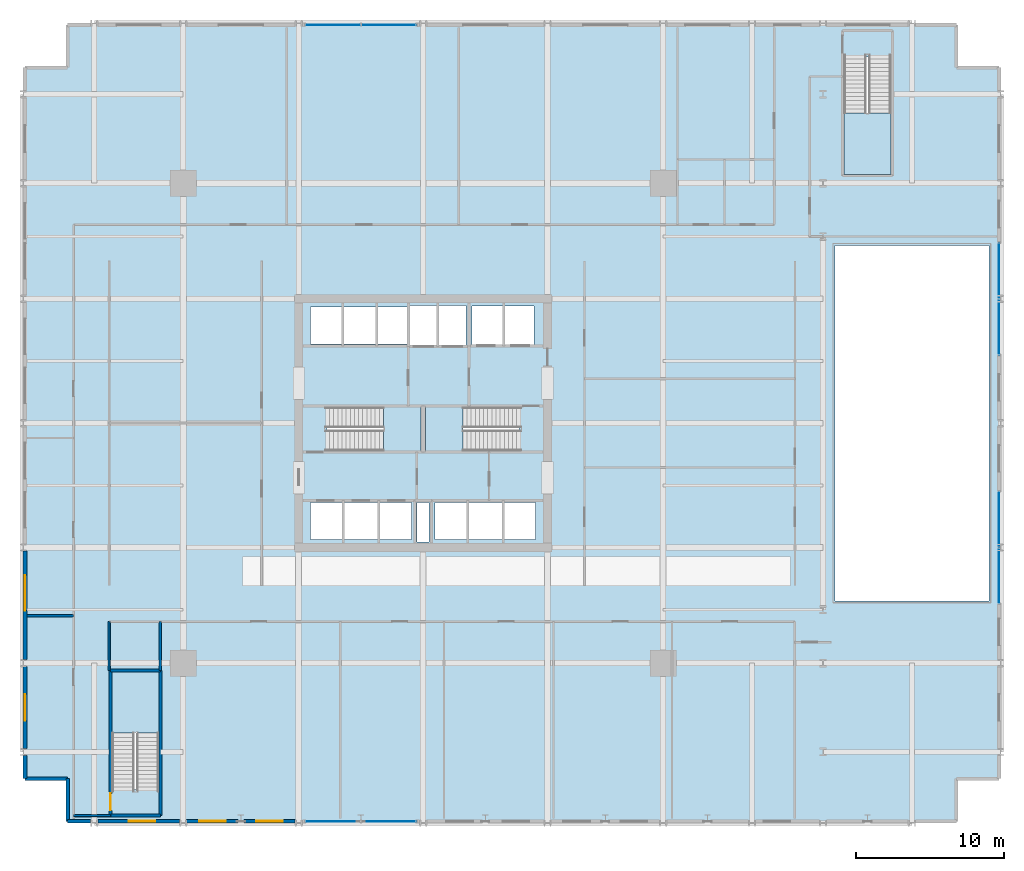
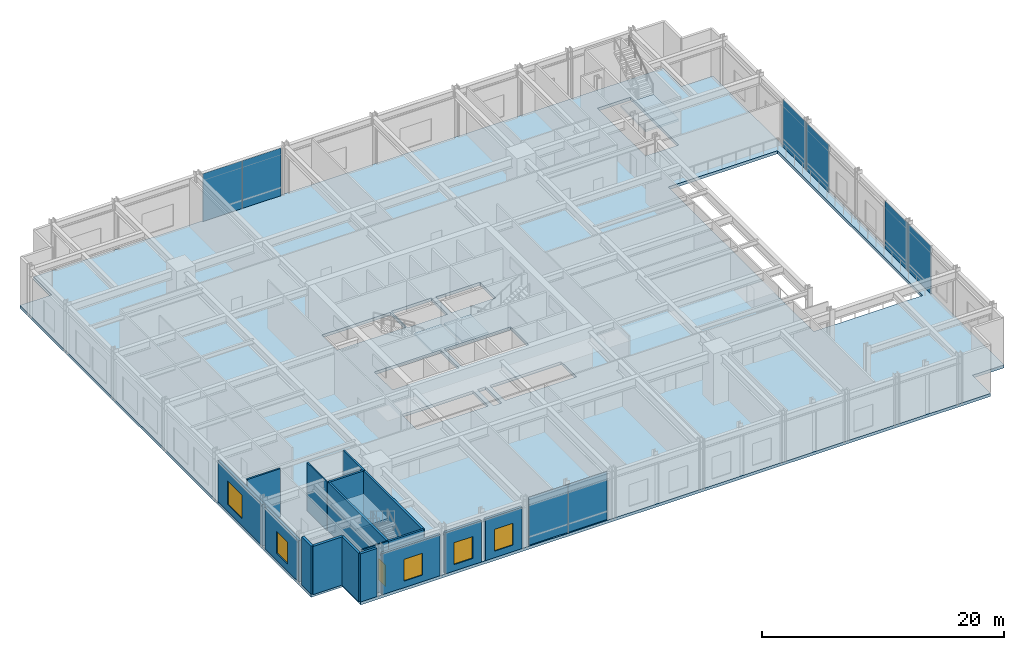
# One storey, part 10 of 21: 17 walls, 8 plates, 5 slabs, 5 windows, 1 door, 6 openings, 8 elements without a shape of their own.
"""IFC4 building model written with IfcOpenShell, lengths in metres."""

from ifc_helpers import new_model, si_unit, direction, frame, frame_2d, origin, origin_2d, place, context, subcontext, project, spatial, polyline, rectangle, outline, extrude, material, layer, layer_set, type_object, element, fill, aggregate, save


model = new_model("IFC4")

# Units and contexts
model_context = context("Model", 3, precision=1e-05, world=origin(), true_north=direction((0.0, 1.0)))
body_context = subcontext(model_context, "Body", "Model", "MODEL_VIEW")
ifc_project = project(units=[si_unit("LENGTHUNIT", "METRE"), si_unit("AREAUNIT", "SQUARE_METRE"), si_unit("VOLUMEUNIT", "CUBIC_METRE"), si_unit("PLANEANGLEUNIT", "RADIAN"), si_unit("MASSUNIT", "GRAM", prefix="KILO")], contexts=[model_context])

# Site, building, storey
site_placement = place(None, origin())
site = spatial("IfcSite", under=ifc_project, at=site_placement, CompositionType="ELEMENT")
building_placement = place(site_placement, origin())
building = spatial("IfcBuilding", under=site, at=building_placement, Name="Drelvath Grand Hotel", CompositionType="ELEMENT")
storey_placement = place(building_placement, frame((0.0, 0.0, 22.39990234375)))
storey = spatial("IfcBuildingStorey", under=building, at=storey_placement, Name="L04", CompositionType="ELEMENT", Elevation=22.39990234375)

# Slab
ifc_material_1 = material(Name="Concrete f'c 40 MPa", Category="concrete")
ifc_layer_1 = layer(ifc_material_1, 0.300048828125)
ifc_layer_set_1 = layer_set([ifc_layer_1], Name="Concrete f'c 40 MPa")
slab_type_1 = type_object("IfcSlabType", Name="Composite RC Floor Slab 300", PredefinedType="FLOOR", material=ifc_layer_set_1)
slab_1_placement = place(storey_placement, frame((0.0, 0.0, -0.2998046875)))
element("IfcSlab", 1, at=slab_1_placement, inside=storey, type_object=slab_type_1, Name="L04 Structural Floor Slab", PredefinedType="FLOOR", context=body_context, shape_type="SweptSolid", body=[
    extrude(outline(polyline([(-24.0, 0.0), (36.0, 0.0), (36.0, 3.0), (39.0, 3.0), (39.0, 51.0), (36.0, 51.0), (36.0, 54.0), (-24.0, 54.0), (-24.0, 51.0), (-27.0, 51.0), (-27.0, 3.0), (-24.0, 3.0), (-24.0, 0.0)]), holes=[polyline([(-6.47998046875, 25.1201171875), (-6.47998046875, 28.080078125), (-0.14990234375, 28.080078125), (-0.14990234375, 25.1201171875), (-6.47998046875, 25.1201171875)]), polyline([(0.14990234375, 25.1201171875), (0.14990234375, 28.080078125), (6.47998046875, 28.080078125), (6.47998046875, 25.1201171875), (0.14990234375, 25.1201171875)]), polyline([(-21.0, 2.27001953125), (-21.0, 10.199951171875), (-17.840087890625, 10.199951171875), (-17.840087890625, 2.27001953125), (-21.0, 2.27001953125)]), polyline([(28.419921875, 43.800048828125), (28.419921875, 51.72998046875), (31.580078125, 51.72998046875), (31.580078125, 43.800048828125), (28.419921875, 43.800048828125)]), polyline([(-7.60009765625, 19.14990234375), (-7.60009765625, 21.64990234375), (-0.800048828125, 21.64990234375), (-0.800048828125, 19.14990234375), (-7.60009765625, 19.14990234375)]), polyline([(-0.39990234375, 18.9599609375), (-0.39990234375, 21.639892578125), (0.39990234375, 21.639892578125), (0.39990234375, 18.9599609375), (-0.39990234375, 18.9599609375)]), polyline([(0.800048828125, 19.14990234375), (0.800048828125, 21.64990234375), (7.60009765625, 21.64990234375), (7.60009765625, 19.14990234375), (0.800048828125, 19.14990234375)]), polyline([(-7.60009765625, 32.35009765625), (-7.60009765625, 34.85009765625), (-1.02001953125, 34.85009765625), (-1.02001953125, 32.35009765625), (-7.60009765625, 32.35009765625)]), polyline([(-0.89990234375, 32.25), (-0.89990234375, 34.949951171875), (2.89990234375, 34.949951171875), (2.89990234375, 32.25), (-0.89990234375, 32.25)]), polyline([(3.300048828125, 32.300048828125), (3.300048828125, 34.89990234375), (7.5, 34.89990234375), (7.5, 32.300048828125), (3.300048828125, 32.300048828125)]), polyline([(27.800048828125, 15.0), (27.800048828125, 39.0), (38.199951171875, 39.0), (38.199951171875, 15.0), (27.800048828125, 15.0)])]), origin(), (0.0, 0.0, 1.0), 0.2998046875),
])

# Stair, slab
ifc_material_2 = material(Name="Concrete C40/50", Category="concrete")
stair_type_1 = type_object("IfcStairType", Name="Dogleg Exit Stair W1400-R173.3", PredefinedType="HALF_TURN_STAIR", material=ifc_material_2)
stair_1_placement = place(storey_placement, origin())
stair_1 = element("IfcStair", 2, at=stair_1_placement, inside=storey, type_object=stair_type_1, Name="L04 Core Exit Stair ST-1", PredefinedType="HALF_TURN_STAIR")
ifc_layer_2 = layer(ifc_material_2, 0.199951171875)
ifc_layer_set_2 = layer_set([ifc_layer_2], Name="Concrete C40/50")
slab_type_2 = type_object("IfcSlabType", Name="Concrete Stair Landing Slab 200", PredefinedType="LANDING", material=ifc_layer_set_2)
slab_2_placement = place(storey_placement, frame((0.0, 0.0, 2.400146484375)))
slab_2 = element("IfcSlab", 3, at=slab_2_placement, type_object=slab_type_2, Name="ST-1 landing 1", PredefinedType="LANDING", context=body_context, shape_type="SweptSolid", body=[
    extrude(outline(polyline([(-2.679931640625, 25.1201171875), (-0.14990234375, 25.1201171875), (-0.14990234375, 28.080078125), (-2.679931640625, 28.080078125), (-2.679931640625, 25.1201171875)])), origin(), (0.0, 0.0, 1.0), 0.199951171875),
])
aggregate(stair_1, [slab_2])

stair_2_placement = place(storey_placement, origin())
stair_2 = element("IfcStair", 4, at=stair_2_placement, inside=storey, type_object=stair_type_1, Name="L04 Core Exit Stair ST-2", PredefinedType="HALF_TURN_STAIR")
slab_3_placement = place(storey_placement, frame((0.0, 0.0, 2.400146484375)))
slab_3 = element("IfcSlab", 5, at=slab_3_placement, type_object=slab_type_2, Name="ST-2 landing 1", PredefinedType="LANDING", context=body_context, shape_type="SweptSolid", body=[
    extrude(outline(polyline([(2.679931640625, 28.080078125), (0.14990234375, 28.080078125), (0.14990234375, 25.1201171875), (2.679931640625, 25.1201171875), (2.679931640625, 28.080078125)])), origin(), (0.0, 0.0, 1.0), 0.199951171875),
])
aggregate(stair_2, [slab_3])

stair_type_2 = type_object("IfcStairType", Name="Dogleg Exit Stair W1500-R173.3", PredefinedType="HALF_TURN_STAIR", material=ifc_material_2)
stair_3_placement = place(storey_placement, origin())
stair_3 = element("IfcStair", 6, at=stair_3_placement, inside=storey, type_object=stair_type_2, Name="L04 Podium Exit Stair ST-3", PredefinedType="HALF_TURN_STAIR")
slab_4_placement = place(storey_placement, frame((0.0, 0.0, 2.400146484375)))
slab_4 = element("IfcSlab", 7, at=slab_4_placement, type_object=slab_type_2, Name="ST-3 landing 1", PredefinedType="LANDING", context=body_context, shape_type="SweptSolid", body=[
    extrude(outline(polyline([(-17.840087890625, 6.070068359375), (-17.840087890625, 10.199951171875), (-21.0, 10.199951171875), (-21.0, 6.070068359375), (-17.840087890625, 6.070068359375)])), origin(), (0.0, 0.0, 1.0), 0.199951171875),
])
aggregate(stair_3, [slab_4])

stair_4_placement = place(storey_placement, origin())
stair_4 = element("IfcStair", 8, at=stair_4_placement, inside=storey, type_object=stair_type_2, Name="L04 Podium Exit Stair ST-4", PredefinedType="HALF_TURN_STAIR")
slab_5_placement = place(storey_placement, frame((0.0, 0.0, 2.400146484375)))
slab_5 = element("IfcSlab", 9, at=slab_5_placement, type_object=slab_type_2, Name="ST-4 landing 1", PredefinedType="LANDING", context=body_context, shape_type="SweptSolid", body=[
    extrude(outline(polyline([(28.419921875, 47.929931640625), (28.419921875, 43.800048828125), (31.580078125, 43.800048828125), (31.580078125, 47.929931640625), (28.419921875, 47.929931640625)])), origin(), (0.0, 0.0, 1.0), 0.199951171875),
])
aggregate(stair_4, [slab_5])

# Curtain wall, plates
ifc_material_3 = material(Name="Dark Bronze Anodised Aluminium Frame", Category="aluminium")
ifc_layer_3 = layer(ifc_material_3, 0.199951171875)
ifc_layer_set_3 = layer_set([ifc_layer_3], Name="Dark Bronze Anodised Aluminium Frame")
curtain_wall_type = type_object("IfcCurtainWallType", Name="Stick Curtain Wall CW-01 Dark Bronze Podium", PredefinedType="NOTDEFINED", material=ifc_layer_set_3)
curtain_wall_1_placement = place(storey_placement, origin())
curtain_wall_1 = element("IfcCurtainWall", 10, at=curtain_wall_1_placement, inside=storey, type_object=curtain_wall_type, Name="L04 CW-01 Curtain Wall CW01-L04-EA1", PredefinedType="NOTDEFINED")
ifc_material_4 = material(Name="Low-E Double Silver Vision Glass Clear", Category="glass")
ifc_layer_4 = layer(ifc_material_4, 0.035888671875)
ifc_layer_set_4 = layer_set([ifc_layer_4], Name="Low-E Double Silver Vision Glass Clear")
plate_type = type_object("IfcPlateType", Name="Curtain Wall Vision Panel CW-01 36mm", PredefinedType="CURTAIN_PANEL", material=ifc_layer_set_4)
plate_1_placement = place(storey_placement, frame((38.8798828125, 20.5, 0.02001953125), z_axis=(0.0, 0.0, 1.0), x_axis=(0.0, -1.0, 0.0)))
plate_1 = element("IfcPlate", 11, at=plate_1_placement, type_object=plate_type, Name="CW01-L04-EA1 Glazed Panel 1", PredefinedType="CURTAIN_PANEL", context=body_context, shape_type="SweptSolid", body=[
    extrude(rectangle(XDim=3.760009765625, YDim=0.035888671875, at=origin_2d()), origin(), (0.0, 0.0, 1.0), 4.81005859375),
])
plate_2_placement = place(storey_placement, frame((38.8798828125, 16.699951171875, 0.02001953125), z_axis=(0.0, 0.0, 1.0), x_axis=(0.0, -1.0, 0.0)))
plate_2 = element("IfcPlate", 12, at=plate_2_placement, type_object=plate_type, Name="CW01-L04-EA1 Glazed Panel 2", PredefinedType="CURTAIN_PANEL", context=body_context, shape_type="SweptSolid", body=[
    extrude(rectangle(XDim=3.760009765625, YDim=0.035888671875, at=origin_2d()), origin(), (0.0, 0.0, 1.0), 4.81005859375),
])
aggregate(curtain_wall_1, [plate_1, plate_2])

curtain_wall_2_placement = place(storey_placement, origin())
curtain_wall_2 = element("IfcCurtainWall", 13, at=curtain_wall_2_placement, inside=storey, type_object=curtain_wall_type, Name="L04 CW-01 Curtain Wall CW01-L04-EA2", PredefinedType="NOTDEFINED")
plate_3_placement = place(storey_placement, frame((38.8798828125, 37.300048828125, 0.02001953125), z_axis=(0.0, 0.0, 1.0), x_axis=(0.0, -1.0, 0.0)))
plate_3 = element("IfcPlate", 14, at=plate_3_placement, type_object=plate_type, Name="CW01-L04-EA2 Glazed Panel 1", PredefinedType="CURTAIN_PANEL", context=body_context, shape_type="SweptSolid", body=[
    extrude(rectangle(XDim=3.760009765625, YDim=0.035888671875, at=origin_2d()), origin(), (0.0, 0.0, 1.0), 4.81005859375),
])
plate_4_placement = place(storey_placement, frame((38.8798828125, 33.5, 0.02001953125), z_axis=(0.0, 0.0, 1.0), x_axis=(0.0, -1.0, 0.0)))
plate_4 = element("IfcPlate", 15, at=plate_4_placement, type_object=plate_type, Name="CW01-L04-EA2 Glazed Panel 2", PredefinedType="CURTAIN_PANEL", context=body_context, shape_type="SweptSolid", body=[
    extrude(rectangle(XDim=3.760009765625, YDim=0.035888671875, at=origin_2d()), origin(), (0.0, 0.0, 1.0), 4.81005859375),
])
aggregate(curtain_wall_2, [plate_3, plate_4])

curtain_wall_3_placement = place(storey_placement, origin())
curtain_wall_3 = element("IfcCurtainWall", 16, at=curtain_wall_3_placement, inside=storey, type_object=curtain_wall_type, Name="L04 CW-01 Curtain Wall CW01-L04-SC1", PredefinedType="NOTDEFINED")
plate_5_placement = place(storey_placement, frame((-2.324951171875, 0.1201171875, 0.02001953125), z_axis=(0.0, 0.0, 1.0), x_axis=(-1.0, 0.0, 0.0)))
plate_5 = element("IfcPlate", 17, at=plate_5_placement, type_object=plate_type, Name="CW01-L04-SC1 Glazed Panel 1", PredefinedType="CURTAIN_PANEL", context=body_context, shape_type="SweptSolid", body=[
    extrude(rectangle(XDim=3.7099609375, YDim=0.035888671875, at=origin_2d()), origin(), (0.0, 0.0, 1.0), 4.81005859375),
])
plate_6_placement = place(storey_placement, frame((-6.074951171875, 0.1201171875, 0.02001953125), z_axis=(0.0, 0.0, 1.0), x_axis=(-1.0, 0.0, 0.0)))
plate_6 = element("IfcPlate", 18, at=plate_6_placement, type_object=plate_type, Name="CW01-L04-SC1 Glazed Panel 2", PredefinedType="CURTAIN_PANEL", context=body_context, shape_type="SweptSolid", body=[
    extrude(rectangle(XDim=3.7099609375, YDim=0.035888671875, at=origin_2d()), origin(), (0.0, 0.0, 1.0), 4.81005859375),
])
aggregate(curtain_wall_3, [plate_5, plate_6])

curtain_wall_4_placement = place(storey_placement, origin())
curtain_wall_4 = element("IfcCurtainWall", 19, at=curtain_wall_4_placement, inside=storey, type_object=curtain_wall_type, Name="L04 CW-01 Curtain Wall CW01-L04-NC1", PredefinedType="NOTDEFINED")
plate_7_placement = place(storey_placement, frame((-6.074951171875, 53.8798828125, 0.02001953125), z_axis=(0.0, 0.0, 1.0), x_axis=(1.0, 0.0, 0.0)))
plate_7 = element("IfcPlate", 20, at=plate_7_placement, type_object=plate_type, Name="CW01-L04-NC1 Glazed Panel 1", PredefinedType="CURTAIN_PANEL", context=body_context, shape_type="SweptSolid", body=[
    extrude(rectangle(XDim=3.7099609375, YDim=0.035888671875, at=origin_2d()), origin(), (0.0, 0.0, 1.0), 4.81005859375),
])
plate_8_placement = place(storey_placement, frame((-2.324951171875, 53.8798828125, 0.02001953125), z_axis=(0.0, 0.0, 1.0), x_axis=(1.0, 0.0, 0.0)))
plate_8 = element("IfcPlate", 21, at=plate_8_placement, type_object=plate_type, Name="CW01-L04-NC1 Glazed Panel 2", PredefinedType="CURTAIN_PANEL", context=body_context, shape_type="SweptSolid", body=[
    extrude(rectangle(XDim=3.7099609375, YDim=0.035888671875, at=origin_2d()), origin(), (0.0, 0.0, 1.0), 4.81005859375),
])
aggregate(curtain_wall_4, [plate_7, plate_8])

# Wall, opening, door
ifc_layer_5 = layer(ifc_material_2, 0.199951171875)
ifc_layer_set_5 = layer_set([ifc_layer_5], Name="Concrete C40/50")
wall_type_1 = type_object("IfcWallType", Name="Core Shaft Fire Wall 200", PredefinedType="SOLIDWALL", material=ifc_layer_set_5)
wall_1_placement = place(storey_placement, frame((-21.10009765625, 0.5, 0.0), z_axis=(0.0, 0.0, 1.0), x_axis=(0.0, 1.0, 0.0)))
wall_1 = element("IfcWall", 22, at=wall_1_placement, inside=storey, type_object=wall_type_1, Name="L04 Stair ST-3 West Wall", PredefinedType="SOLIDWALL", context=body_context, shape_type="SweptSolid", body=[
    extrude(rectangle(XDim=9.800048828125, YDim=0.199951171875, at=frame_2d((4.89990234375, 0.0))), origin(), (0.0, 0.0, 1.0), 4.85009765625),
])
opening_1_placement = place(wall_1_placement, frame((0.35009765625, 0.0, 0.0)))
opening_1 = element("IfcOpeningElement", 23, at=opening_1_placement, cuts=wall_1, Name="Opening D-L04-016", PredefinedType="OPENING", context=body_context, shape_type="SweptSolid", body=[
    extrude(rectangle(XDim=1.14990234375, YDim=2.14990234375, at=frame_2d((0.574951171875, 1.074951171875))), frame((0.0, 0.10986328125, 0.0), z_axis=(0.0, -1.0, 0.0), x_axis=(1.0, 0.0, 0.0)), (0.0, 0.0, 1.0), 0.219970703125),
])
ifc_material_5 = material(Name="Painted Steel S275", Category="steel")
door_type = type_object("IfcDoorType", Name="Podium Stairwell Fire Door 1150x2150", OperationType="NOTDEFINED", PredefinedType="DOOR", material=ifc_material_5)
door_placement = place(opening_1_placement, origin())
door = element("IfcDoor", 24, at=door_placement, inside=storey, type_object=door_type, Name="L04 Exit Stair ST-3 Entry Door", OperationType="SINGLE_SWING_LEFT", OverallHeight=2.14990234375, OverallWidth=1.14990234375, PredefinedType="DOOR", context=body_context, shape_type="SweptSolid", body=[
    extrude(rectangle(XDim=1.14990234375, YDim=2.14990234375, at=frame_2d((0.574951171875, 1.074951171875))), frame((0.0, 0.02490234375, 0.0), z_axis=(0.0, -1.0, 0.0), x_axis=(1.0, 0.0, 0.0)), (0.0, 0.0, 1.0), 0.050048828125),
])
fill(opening_1, door)

# Walls
wall_2_placement = place(storey_placement, frame((-17.739990234375, 10.300048828125, 0.0), z_axis=(0.0, 0.0, 1.0), x_axis=(0.0, -1.0, 0.0)))
element("IfcWall", 25, at=wall_2_placement, inside=storey, type_object=wall_type_1, Name="L04 Stair ST-3 East Wall", PredefinedType="SOLIDWALL", context=body_context, shape_type="SweptSolid", body=[
    extrude(rectangle(XDim=9.800048828125, YDim=0.199951171875, at=frame_2d((4.89990234375, 0.0))), origin(), (0.0, 0.0, 1.0), 4.85009765625),
])
for number, where, z_axis, x_axis, name in (
    (26, (-21.10009765625, 0.5, 0.0), (0.0, 0.0, 1.0), (1.0, 0.0, 0.0), "L04 Stair ST-3 South Wall"),
    (27, (-17.739990234375, 10.300048828125, 0.0), (0.0, 0.0, 1.0), (-1.0, 0.0, 0.0), "L04 Stair ST-3 North Wall"),
):
    element("IfcWall", number, at=place(storey_placement, frame(where, z_axis=z_axis, x_axis=x_axis)), inside=storey, type_object=wall_type_1, Name=name, PredefinedType="SOLIDWALL", context=body_context, shape_type="SweptSolid", body=[
        extrude(rectangle(XDim=3.360107421875, YDim=0.199951171875, at=frame_2d((1.68017578125, 0.0))), origin(), (0.0, 0.0, 1.0), 4.85009765625),
    ])
ifc_material_6 = material(Name="Gypsum Fireboard Partition")
ifc_layer_6 = layer(ifc_material_6, 0.135009765625)
ifc_layer_set_6 = layer_set([ifc_layer_6], Name="Gypsum Fireboard Partition")
wall_type_2 = type_object("IfcWallType", Name="Corridor Fire Barrier Wall 135", PredefinedType="PARTITIONING", material=ifc_layer_set_6)
wall_3_placement = place(storey_placement, frame((-21.199951171875, 10.300048828125, 0.0), z_axis=(0.0, 0.0, 1.0), x_axis=(0.0, 1.0, 0.0)))
element("IfcWall", 28, at=wall_3_placement, inside=storey, type_object=wall_type_2, Name="L04 ST-3 Spur South-East Wall", PredefinedType="PARTITIONING", context=body_context, shape_type="SweptSolid", body=[
    extrude(rectangle(XDim=3.300048828125, YDim=0.135009765625, at=frame_2d((1.64990234375, 0.0))), origin(), (0.0, 0.0, 1.0), 4.85009765625),
])
wall_4_placement = place(storey_placement, frame((-23.60009765625, 0.5, 0.0), z_axis=(0.0, 0.0, 1.0), x_axis=(1.0, 0.0, 0.0)))
element("IfcWall", 29, at=wall_4_placement, inside=storey, type_object=wall_type_2, Name="L04 ST-3 Spur South End", PredefinedType="PARTITIONING", context=body_context, shape_type="SweptSolid", body=[
    extrude(rectangle(XDim=2.5, YDim=0.135009765625, at=frame_2d((1.25, 0.0))), origin(), (0.0, 0.0, 1.0), 4.85009765625),
])
ifc_material_7 = material(Name="Gypsum Acoustic Partition")
ifc_layer_7 = layer(ifc_material_7, 0.14990234375)
ifc_layer_set_7 = layer_set([ifc_layer_7], Name="Gypsum Acoustic Partition")
wall_type_3 = type_object("IfcWallType", Name="Guestroom Demising Wall 150", PredefinedType="PARTITIONING", material=ifc_layer_set_7)
wall_5_placement = place(storey_placement, frame((-26.760009765625, 14.0, 0.0), z_axis=(0.0, 0.0, 1.0), x_axis=(1.0, 0.0, 0.0)))
element("IfcWall", 30, at=wall_5_placement, inside=storey, type_object=wall_type_3, Name="L04 L04 West Split 1", PredefinedType="PARTITIONING", context=body_context, shape_type="SweptSolid", body=[
    extrude(rectangle(XDim=3.159912109375, YDim=0.14990234375, at=frame_2d((1.580078125, 0.0))), origin(), (0.0, 0.0, 1.0), 4.85009765625),
])
ifc_material_8 = material(Name="Insulated Granite Rainscreen Assembly", Category="masonry")
ifc_layer_8 = layer(ifc_material_8, 0.239990234375)
ifc_layer_set_8 = layer_set([ifc_layer_8], Name="Insulated Granite Rainscreen Assembly")
wall_type_4 = type_object("IfcWallType", Name="Podium Granite Rainscreen Exterior Wall 240", PredefinedType="STANDARD", material=ifc_layer_set_8)
wall_6_placement = place(storey_placement, frame((-26.8798828125, 3.0, 0.0), z_axis=(0.0, 0.0, 1.0), x_axis=(0.0, 1.0, 0.0)))
element("IfcWall", 31, at=wall_6_placement, inside=storey, type_object=wall_type_4, Name="L04 West Podium Granite Wall 1", PredefinedType="STANDARD", context=body_context, shape_type="SweptSolid", body=[
    extrude(rectangle(XDim=1.55908203125, YDim=0.239990234375, at=frame_2d((0.779541015625, 0.0))), origin(), (0.0, 0.0, 1.0), 4.85009765625),
])

# Wall, opening, window
wall_7_placement = place(storey_placement, frame((-26.8798828125, 5.041015625, 0.0), z_axis=(0.0, 0.0, 1.0), x_axis=(0.0, 1.0, 0.0)))
wall_7 = element("IfcWall", 32, at=wall_7_placement, inside=storey, type_object=wall_type_4, Name="L04 West Podium Granite Wall 2", PredefinedType="STANDARD", context=body_context, shape_type="SweptSolid", body=[
    extrude(rectangle(XDim=5.51806640625, YDim=0.239990234375, at=frame_2d((2.759033203125, 0.0))), origin(), (0.0, 0.0, 1.0), 4.154541015625),
])
opening_2_placement = place(wall_7_placement, frame((1.859130859375, 0.0, 0.699951171875)))
opening_2 = element("IfcOpeningElement", 33, at=opening_2_placement, cuts=wall_7, Name="Opening W-02", PredefinedType="OPENING", context=body_context, shape_type="SweptSolid", body=[
    extrude(rectangle(XDim=1.800048828125, YDim=2.199951171875, at=frame_2d((0.89990234375, 1.10009765625))), frame((0.0, 0.1298828125, 0.0), z_axis=(0.0, -1.0, 0.0), x_axis=(1.0, 0.0, 0.0)), (0.0, 0.0, 1.0), 0.260009765625),
])
ifc_material_9 = material(Name="Bronze Anodised Low-E Triple Glazing", Category="glass")
window_type_1 = type_object("IfcWindowType", Name="Chicago Double-Pane Podium Window 1800x2400", PartitioningType="DOUBLE_PANEL_VERTICAL", PredefinedType="WINDOW", material=ifc_material_9)
window_1_placement = place(opening_2_placement, origin())
window_1 = element("IfcWindow", 34, at=window_1_placement, inside=storey, type_object=window_type_1, Name="L04 West Podium Window 2", OverallHeight=2.199951171875, OverallWidth=1.800048828125, PartitioningType="SINGLE_PANEL", PredefinedType="WINDOW", context=body_context, shape_type="SweptSolid", body=[
    extrude(rectangle(XDim=1.800048828125, YDim=2.199951171875, at=frame_2d((0.89990234375, 1.10009765625))), frame((0.0, 0.030029296875, 0.0), z_axis=(0.0, -1.0, 0.0), x_axis=(1.0, 0.0, 0.0)), (0.0, 0.0, 1.0), 0.06005859375),
])
fill(opening_2, window_1)

wall_8_placement = place(storey_placement, frame((-26.8798828125, 11.041015625, 0.0), z_axis=(0.0, 0.0, 1.0), x_axis=(0.0, 1.0, 0.0)))
wall_8 = element("IfcWall", 35, at=wall_8_placement, inside=storey, type_object=wall_type_4, Name="L04 West Podium Granite Wall 3", PredefinedType="STANDARD", context=body_context, shape_type="SweptSolid", body=[
    extrude(rectangle(XDim=7.318115234375, YDim=0.239990234375, at=frame_2d((3.6591796875, 0.0))), origin(), (0.0, 0.0, 1.0), 4.154541015625),
])
opening_3_placement = place(wall_8_placement, frame((3.300048828125, 0.0, 0.699951171875)))
opening_3 = element("IfcOpeningElement", 36, at=opening_3_placement, cuts=wall_8, Name="Opening W-01", PredefinedType="OPENING", context=body_context, shape_type="SweptSolid", body=[
    extrude(rectangle(XDim=2.39990234375, YDim=2.39990234375, at=frame_2d((1.199951171875, 1.199951171875))), frame((0.0, 0.1298828125, 0.0), z_axis=(0.0, -1.0, 0.0), x_axis=(1.0, 0.0, 0.0)), (0.0, 0.0, 1.0), 0.260009765625),
])
window_type_2 = type_object("IfcWindowType", Name="Chicago Triple-Pane Podium Window 2400x2600", PartitioningType="TRIPLE_PANEL_VERTICAL", PredefinedType="WINDOW", material=ifc_material_9)
window_2_placement = place(opening_3_placement, origin())
window_2 = element("IfcWindow", 37, at=window_2_placement, inside=storey, type_object=window_type_2, Name="L04 West Podium Window 3-1", OverallHeight=2.39990234375, OverallWidth=2.39990234375, PartitioningType="SINGLE_PANEL", PredefinedType="WINDOW", context=body_context, shape_type="SweptSolid", body=[
    extrude(rectangle(XDim=2.39990234375, YDim=2.39990234375, at=frame_2d((1.199951171875, 1.199951171875))), frame((0.0, 0.030029296875, 0.0), z_axis=(0.0, -1.0, 0.0), x_axis=(1.0, 0.0, 0.0)), (0.0, 0.0, 1.0), 0.06005859375),
])
fill(opening_3, window_2)

# Wall
wall_9_placement = place(storey_placement, frame((-22.44091796875, 0.1201171875, 0.0), z_axis=(0.0, 0.0, 1.0), x_axis=(-1.0, 0.0, 0.0)))
element("IfcWall", 38, at=wall_9_placement, inside=storey, type_object=wall_type_4, Name="L04 South Podium Granite Wall 1", PredefinedType="STANDARD", context=body_context, shape_type="SweptSolid", body=[
    extrude(rectangle(XDim=1.55908203125, YDim=0.239990234375, at=frame_2d((0.779541015625, 0.0))), origin(), (0.0, 0.0, 1.0), 4.85009765625),
])

# Wall, opening, window
wall_10_placement = place(storey_placement, frame((-16.44091796875, 0.1201171875, 0.0), z_axis=(0.0, 0.0, 1.0), x_axis=(-1.0, 0.0, 0.0)))
wall_10 = element("IfcWall", 39, at=wall_10_placement, inside=storey, type_object=wall_type_4, Name="L04 South Podium Granite Wall 2", PredefinedType="STANDARD", context=body_context, shape_type="SweptSolid", body=[
    extrude(rectangle(XDim=5.51806640625, YDim=0.239990234375, at=frame_2d((2.759033203125, 0.0))), origin(), (0.0, 0.0, 1.0), 4.154541015625),
])
opening_4_placement = place(wall_10_placement, frame((1.64990234375, 0.0, 0.64990234375)))
opening_4 = element("IfcOpeningElement", 40, at=opening_4_placement, cuts=wall_10, Name="Opening W-02", PredefinedType="OPENING", context=body_context, shape_type="SweptSolid", body=[
    extrude(rectangle(XDim=1.800048828125, YDim=2.199951171875, at=frame_2d((0.89990234375, 1.10009765625))), frame((0.0, 0.1298828125, 0.0), z_axis=(0.0, -1.0, 0.0), x_axis=(1.0, 0.0, 0.0)), (0.0, 0.0, 1.0), 0.260009765625),
])
window_3_placement = place(opening_4_placement, origin())
window_3 = element("IfcWindow", 41, at=window_3_placement, inside=storey, type_object=window_type_1, Name="L04 South Chicago Window 2-1", OverallHeight=2.199951171875, OverallWidth=1.800048828125, PartitioningType="SINGLE_PANEL", PredefinedType="WINDOW", context=body_context, shape_type="SweptSolid", body=[
    extrude(rectangle(XDim=1.800048828125, YDim=2.199951171875, at=frame_2d((0.89990234375, 1.10009765625))), frame((0.0, 0.030029296875, 0.0), z_axis=(0.0, -1.0, 0.0), x_axis=(1.0, 0.0, 0.0)), (0.0, 0.0, 1.0), 0.06005859375),
])
fill(opening_4, window_3)

wall_11_placement = place(storey_placement, frame((-12.49267578125, 0.1201171875, 0.0), z_axis=(0.0, 0.0, 1.0), x_axis=(-1.0, 0.0, 0.0)))
wall_11 = element("IfcWall", 42, at=wall_11_placement, inside=storey, type_object=wall_type_4, Name="L04 South Podium Granite Wall 3", PredefinedType="STANDARD", context=body_context, shape_type="SweptSolid", body=[
    extrude(rectangle(XDim=3.46630859375, YDim=0.239990234375, at=frame_2d((1.733154296875, 0.0))), origin(), (0.0, 0.0, 1.0), 4.154541015625),
])
opening_5_placement = place(wall_11_placement, frame((0.833251953125, 0.0, 0.64990234375)))
opening_5 = element("IfcOpeningElement", 43, at=opening_5_placement, cuts=wall_11, Name="Opening W-02", PredefinedType="OPENING", context=body_context, shape_type="SweptSolid", body=[
    extrude(rectangle(XDim=1.800048828125, YDim=2.199951171875, at=frame_2d((0.89990234375, 1.10009765625))), frame((0.0, 0.1298828125, 0.0), z_axis=(0.0, -1.0, 0.0), x_axis=(1.0, 0.0, 0.0)), (0.0, 0.0, 1.0), 0.260009765625),
])
window_4_placement = place(opening_5_placement, origin())
window_4 = element("IfcWindow", 44, at=window_4_placement, inside=storey, type_object=window_type_1, Name="L04 South Chicago Window 3", OverallHeight=2.199951171875, OverallWidth=1.800048828125, PartitioningType="SINGLE_PANEL", PredefinedType="WINDOW", context=body_context, shape_type="SweptSolid", body=[
    extrude(rectangle(XDim=1.800048828125, YDim=2.199951171875, at=frame_2d((0.89990234375, 1.10009765625))), frame((0.0, 0.030029296875, 0.0), z_axis=(0.0, -1.0, 0.0), x_axis=(1.0, 0.0, 0.0)), (0.0, 0.0, 1.0), 0.06005859375),
])
fill(opening_5, window_4)

wall_12_placement = place(storey_placement, frame((-8.640869140625, 0.1201171875, 0.0), z_axis=(0.0, 0.0, 1.0), x_axis=(-1.0, 0.0, 0.0)))
wall_12 = element("IfcWall", 45, at=wall_12_placement, inside=storey, type_object=wall_type_4, Name="L04 South Podium Granite Wall 4", PredefinedType="STANDARD", context=body_context, shape_type="SweptSolid", body=[
    extrude(rectangle(XDim=3.466552734375, YDim=0.239990234375, at=frame_2d((1.7333984375, 0.0))), origin(), (0.0, 0.0, 1.0), 4.154541015625),
])
opening_6_placement = place(wall_12_placement, frame((0.833251953125, 0.0, 0.64990234375)))
opening_6 = element("IfcOpeningElement", 46, at=opening_6_placement, cuts=wall_12, Name="Opening W-02", PredefinedType="OPENING", context=body_context, shape_type="SweptSolid", body=[
    extrude(rectangle(XDim=1.800048828125, YDim=2.199951171875, at=frame_2d((0.89990234375, 1.10009765625))), frame((0.0, 0.1298828125, 0.0), z_axis=(0.0, -1.0, 0.0), x_axis=(1.0, 0.0, 0.0)), (0.0, 0.0, 1.0), 0.260009765625),
])
window_5_placement = place(opening_6_placement, origin())
window_5 = element("IfcWindow", 47, at=window_5_placement, inside=storey, type_object=window_type_1, Name="L04 South Chicago Window 4", OverallHeight=2.199951171875, OverallWidth=1.800048828125, PartitioningType="SINGLE_PANEL", PredefinedType="WINDOW", context=body_context, shape_type="SweptSolid", body=[
    extrude(rectangle(XDim=1.800048828125, YDim=2.199951171875, at=frame_2d((0.89990234375, 1.10009765625))), frame((0.0, 0.030029296875, 0.0), z_axis=(0.0, -1.0, 0.0), x_axis=(1.0, 0.0, 0.0)), (0.0, 0.0, 1.0), 0.06005859375),
])
fill(opening_6, window_5)

# Walls
for number, where, z_axis, x_axis, name in (
    (48, (-24.0, 0.1201171875, 0.0), (0.0, 0.0, 1.0), (0.0, 1.0, 0.0), "L04 Podium Corner Return Wall CSW1"),
    (49, (-24.0, 3.0, 0.0), (0.0, 0.0, 1.0), (-1.0, 0.0, 0.0), "L04 Podium Corner Return Wall CSW2"),
):
    element("IfcWall", number, at=place(storey_placement, frame(where, z_axis=z_axis, x_axis=x_axis)), inside=storey, type_object=wall_type_4, Name=name, PredefinedType="STANDARD", context=body_context, shape_type="SweptSolid", body=[
        extrude(rectangle(XDim=2.8798828125, YDim=0.239990234375, at=frame_2d((1.43994140625, 0.0))), origin(), (0.0, 0.0, 1.0), 4.85009765625),
    ])
ifc_layer_9 = layer(ifc_material_7, 0.1650390625)
ifc_layer_set_9 = layer_set([ifc_layer_9], Name="Gypsum Acoustic Partition")
wall_type_5 = type_object("IfcWallType", Name="Suite Demising Wall 165", PredefinedType="PARTITIONING", material=ifc_layer_set_9)
wall_13_placement = place(storey_placement, frame((-17.739990234375, 10.300048828125, 0.0), z_axis=(0.0, 0.0, 1.0), x_axis=(0.0, 1.0, 0.0)))
element("IfcWall", 50, at=wall_13_placement, inside=storey, type_object=wall_type_5, Name="L04 ST-3 East Demising Wall", PredefinedType="PARTITIONING", context=body_context, shape_type="SweptSolid", body=[
    extrude(rectangle(XDim=3.300048828125, YDim=0.1650390625, at=frame_2d((1.64990234375, 0.0))), origin(), (0.0, 0.0, 1.0), 4.85009765625),
])

save(model, "model.ifc")
